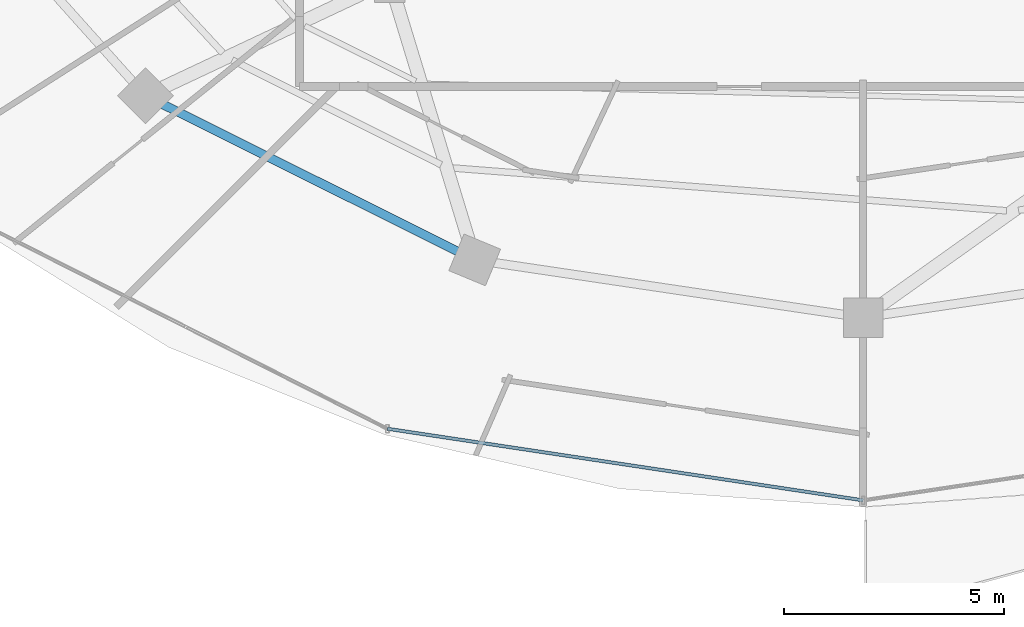
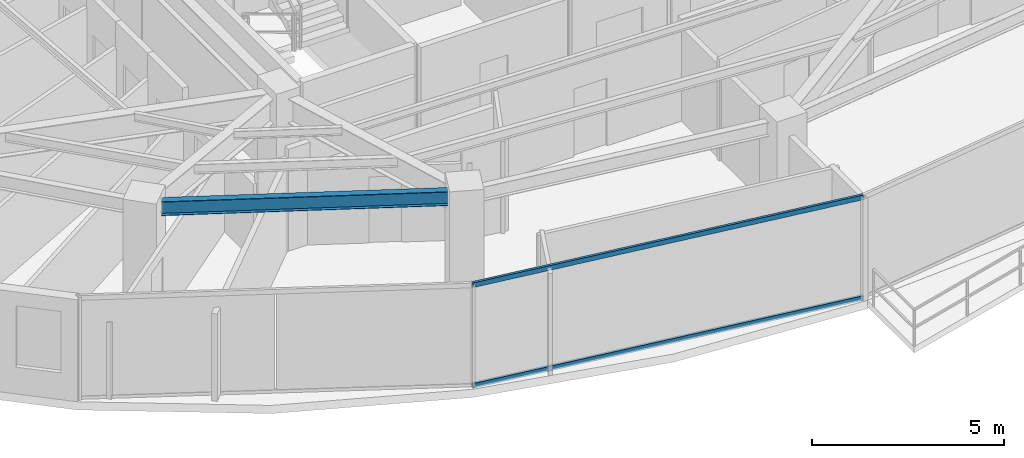
# One storey, part 4 of 33: 2 members, 1 beam, 1 element without a shape of its own.
"""IFC4 building model written with IfcOpenShell, lengths in metres."""

from ifc_helpers import new_model, si_unit, direction, frame, origin, origin_2d, place, context, subcontext, project, spatial, hollow_rectangle, i_section, extrude, material, material_profile, profile_set, type_object, element, aggregate, save


model = new_model("IFC4")

# Units and contexts
model_context = context("Model", 3, precision=1e-05, world=origin(), true_north=direction((0.0, 1.0)))
body_context = subcontext(model_context, "Body", "Model", "MODEL_VIEW")
ifc_project = project(units=[si_unit("LENGTHUNIT", "METRE"), si_unit("AREAUNIT", "SQUARE_METRE"), si_unit("VOLUMEUNIT", "CUBIC_METRE"), si_unit("PLANEANGLEUNIT", "RADIAN"), si_unit("MASSUNIT", "GRAM", prefix="KILO")], contexts=[model_context])

# Site, building, storey
site_placement = place(None, origin())
site = spatial("IfcSite", under=ifc_project, at=site_placement, CompositionType="ELEMENT")
building_placement = place(site_placement, origin())
building = spatial("IfcBuilding", under=site, at=building_placement, Name="Vorneva Point Tower", CompositionType="ELEMENT")
storey_placement = place(building_placement, frame((0.0, 0.0, 196.60009765625)))
storey = spatial("IfcBuildingStorey", under=building, at=storey_placement, Name="L53", CompositionType="ELEMENT", Elevation=196.60009765625)

# Beam
ifc_material_1 = material(Name="Steel S355", Category="steel")
ifc_material_profile_1 = material_profile(ifc_material_1, i_section(OverallWidth=0.198974609375, OverallDepth=0.446044921875, WebThickness=0.008056640625, FlangeThickness=0.011962890625, at=origin_2d()), Name="45B1")
ifc_profile_set_1 = profile_set([ifc_material_profile_1], Name="Steel S355")
beam_type = type_object("IfcBeamType", Name="BM-SPN-45B1", PredefinedType="SPANDREL", material=ifc_profile_set_1)
beam_placement = place(storey_placement, frame((22.090576171875, 13.643798828125, 3.016845703125), z_axis=(0.894922371084, -0.446221861559, 0.0), x_axis=(0.446221861559, 0.894922371084, 0.0)))
element("IfcBeam", 1, at=beam_placement, inside=storey, type_object=beam_type, Name="L53 Perimeter Spandrel Ring Beam 11", PredefinedType="SPANDREL", context=body_context, shape_type="SweptSolid", body=[
    extrude(i_section(OverallWidth=0.198974609375, OverallDepth=0.446044921875, WebThickness=0.008056640625, FlangeThickness=0.011962890625, at=origin_2d()), origin(), (0.0, 0.0, 1.0), 7.48583984375),
])

# Curtain wall, members
ifc_material_2 = material(Name="Pale anodised aluminium", Category="aluminium")
curtain_wall_type = type_object("IfcCurtainWallType", Name="CW-RES-SYS", PredefinedType="NOTDEFINED", material=ifc_material_2)
curtain_wall_placement = place(storey_placement, origin())
curtain_wall = element("IfcCurtainWall", 2, at=curtain_wall_placement, inside=storey, type_object=curtain_wall_type, Name="L53 Unitised Curtain Wall CW-L53-R04", PredefinedType="NOTDEFINED")
ifc_material_profile_2 = material_profile(ifc_material_2, hollow_rectangle(XDim=0.074951171875, YDim=0.14990234375, WallThickness=0.00390625, at=origin_2d()), Name="AL-TRN 150x75x4")
ifc_profile_set_2 = profile_set([ifc_material_profile_2], Name="Pale anodised aluminium")
member_type = type_object("IfcMemberType", Name="CW-TRN-150", PredefinedType="USERDEFINED", material=ifc_profile_set_2)
member_1_placement = place(storey_placement, frame((27.19677734375, 6.275146484375, 0.02001953125), z_axis=(0.988872333273, -0.148766624239, 0.0), x_axis=(0.148766624239, 0.988872333273, 0.0)))
member_1 = element("IfcMember", 3, at=member_1_placement, type_object=member_type, Name="CW-L53-R04 Transom 02.1", ObjectType="TRANSOM", PredefinedType="USERDEFINED", context=body_context, shape_type="SweptSolid", body=[
    extrude(hollow_rectangle(XDim=0.074951171875, YDim=0.14990234375, WallThickness=0.00390625, at=origin_2d()), origin(), (0.0, 0.0, 1.0), 10.9248046875),
])
member_2_placement = place(storey_placement, frame((27.19677734375, 6.275146484375, 3.219970703125), z_axis=(0.988872333273, -0.148766624239, 0.0), x_axis=(0.148766624239, 0.988872333273, 0.0)))
member_2 = element("IfcMember", 4, at=member_2_placement, type_object=member_type, Name="CW-L53-R04 Transom 02.2", ObjectType="TRANSOM", PredefinedType="USERDEFINED", context=body_context, shape_type="SweptSolid", body=[
    extrude(hollow_rectangle(XDim=0.074951171875, YDim=0.14990234375, WallThickness=0.00390625, at=origin_2d()), origin(), (0.0, 0.0, 1.0), 10.9248046875),
])
aggregate(curtain_wall, [member_1, member_2])

save(model, "model.ifc")
